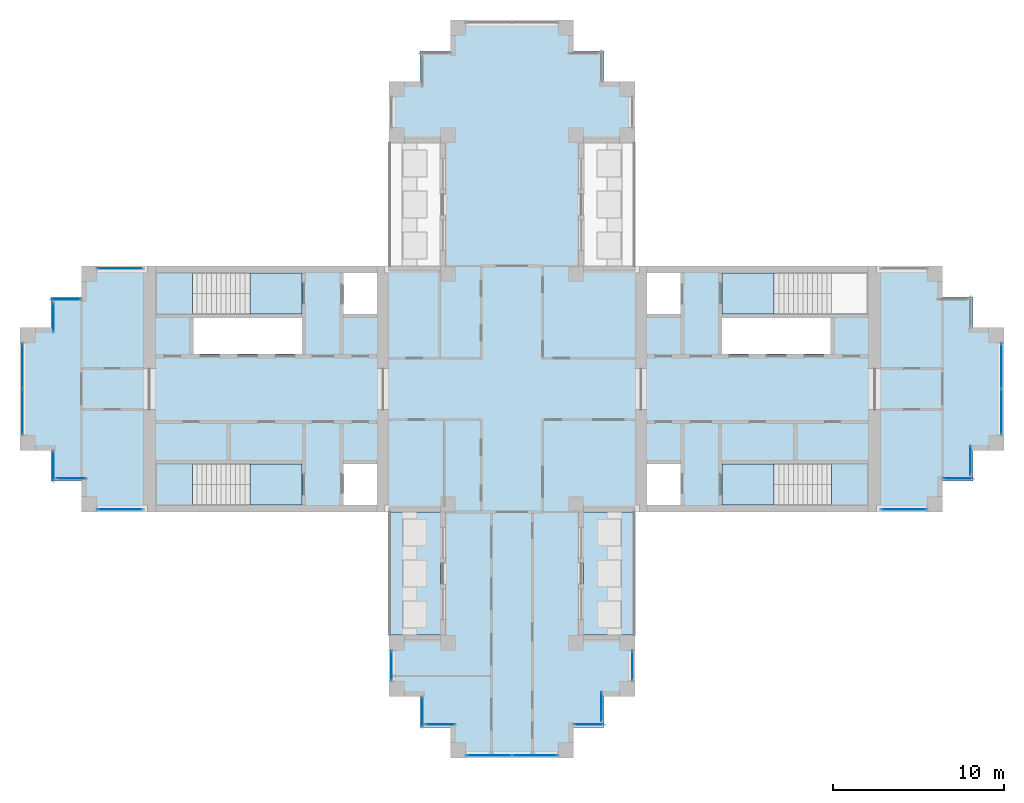
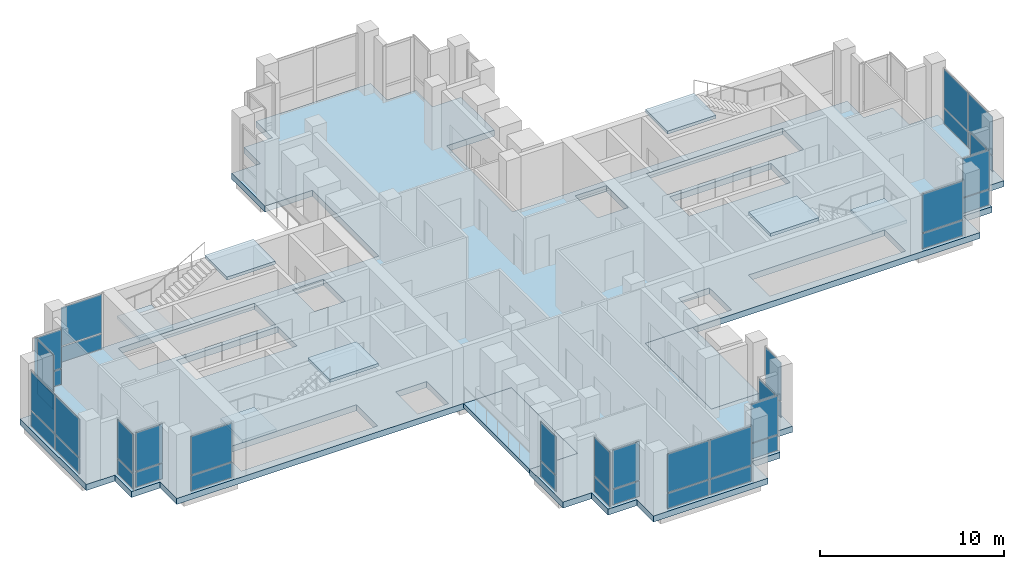
# One storey, part 6 of 13: 42 plates, 10 slabs, 22 elements without a shape of their own.
"""IFC4 building model written with IfcOpenShell, lengths in metres."""

from ifc_helpers import new_model, si_unit, direction, frame, origin, origin_2d, place, context, subcontext, project, spatial, polyline, rectangle, outline, extrude, material, layer, layer_set, type_object, element, aggregate, save


model = new_model("IFC4")

# Units and contexts
model_context = context("Model", 3, precision=1e-05, world=origin(), true_north=direction((0.0, 1.0)))
body_context = subcontext(model_context, "Body", "Model", "MODEL_VIEW")
ifc_project = project(units=[si_unit("LENGTHUNIT", "METRE"), si_unit("AREAUNIT", "SQUARE_METRE"), si_unit("VOLUMEUNIT", "CUBIC_METRE"), si_unit("PLANEANGLEUNIT", "RADIAN"), si_unit("MASSUNIT", "GRAM", prefix="KILO")], contexts=[model_context])

# Site, building, storey
site_placement = place(None, origin())
site = spatial("IfcSite", under=ifc_project, at=site_placement, CompositionType="ELEMENT")
building_placement = place(site_placement, origin())
building = spatial("IfcBuilding", under=site, at=building_placement, Name="Fustian Cross Tower", CompositionType="ELEMENT")
storey_placement = place(building_placement, frame((0.0, 0.0, 237.89990234375)))
storey = spatial("IfcBuildingStorey", under=building, at=storey_placement, Name="L75", CompositionType="ELEMENT", Elevation=237.89990234375)

# Slabs
ifc_material_1 = material(Name="Concrete C40/50", Category="concrete")
ifc_layer_1 = layer(ifc_material_1, 0.300048828125)
ifc_layer_set_1 = layer_set([ifc_layer_1], Name="Concrete C40/50")
slab_type_1 = type_object("IfcSlabType", Name="BS1 BALCONY SLAB 300", PredefinedType="FLOOR", material=ifc_layer_set_1)
slab_1_placement = place(storey_placement, frame((0.0, 0.0, -0.2998046875)))
element("IfcSlab", 1, at=slab_1_placement, inside=storey, type_object=slab_type_1, Name="Balcony slab", PredefinedType="FLOOR", context=body_context, shape_type="SweptSolid", body=[
    extrude(outline(polyline([(4.199951171875, -14.39990234375), (7.199951171875, -14.39990234375), (7.199951171875, -7.199951171875), (4.199951171875, -7.199951171875), (4.199951171875, -14.39990234375)])), origin(), (0.0, 0.0, 1.0), 0.2998046875),
])
slab_2_placement = place(storey_placement, frame((0.0, 0.0, -0.2998046875)))
element("IfcSlab", 2, at=slab_2_placement, inside=storey, type_object=slab_type_1, Name="Balcony slab", PredefinedType="FLOOR", context=body_context, shape_type="SweptSolid", body=[
    extrude(outline(polyline([(-7.199951171875, -14.39990234375), (-4.199951171875, -14.39990234375), (-4.199951171875, -7.199951171875), (-7.199951171875, -7.199951171875), (-7.199951171875, -14.39990234375)])), origin(), (0.0, 0.0, 1.0), 0.2998046875),
])

# Curtain wall, plates
ifc_material_2 = material(Name="Dark anodised aluminium and double glazing", Category="aluminium")
curtain_wall_type = type_object("IfcCurtainWallType", Name="CW2 SUMMIT LOUNGE CURTAIN WALL", PredefinedType="NOTDEFINED", material=ifc_material_2)
curtain_wall_1_placement = place(storey_placement, origin())
curtain_wall_1 = element("IfcCurtainWall", 3, at=curtain_wall_1_placement, inside=storey, type_object=curtain_wall_type, Name="Curtain wall", PredefinedType="NOTDEFINED")
ifc_material_3 = material(Name="Laminated double glazed unit")
ifc_layer_2 = layer(ifc_material_3, 0.0439453125)
ifc_layer_set_2 = layer_set([ifc_layer_2], Name="Laminated double glazed unit")
plate_type = type_object("IfcPlateType", Name="CW2 PANEL LAMINATED IGU 44", PredefinedType="CURTAIN_PANEL", material=ifc_layer_set_2)
plate_1_placement = place(storey_placement, frame((22.949951171875, -7.050048828125, 0.06005859375), z_axis=(0.0, 0.0, 1.0), x_axis=(1.0, 0.0, 0.0)))
plate_1 = element("IfcPlate", 4, at=plate_1_placement, type_object=plate_type, Name="CW2 panel 1.1", PredefinedType="CURTAIN_PANEL", context=body_context, shape_type="SweptSolid", body=[
    extrude(rectangle(XDim=2.580078125, YDim=0.028076171875, at=origin_2d()), origin(), (0.0, 0.0, 1.0), 1.010009765625),
])
plate_2_placement = place(storey_placement, frame((22.949951171875, -7.050048828125, 1.130126953125), z_axis=(0.0, 0.0, 1.0), x_axis=(1.0, 0.0, 0.0)))
plate_2 = element("IfcPlate", 5, at=plate_2_placement, type_object=plate_type, Name="CW2 panel 1.2", PredefinedType="CURTAIN_PANEL", context=body_context, shape_type="SweptSolid", body=[
    extrude(rectangle(XDim=2.580078125, YDim=0.028076171875, at=origin_2d()), origin(), (0.0, 0.0, 1.0), 2.56005859375),
])
aggregate(curtain_wall_1, [plate_1, plate_2])

curtain_wall_2_placement = place(storey_placement, origin())
curtain_wall_2 = element("IfcCurtainWall", 6, at=curtain_wall_2_placement, inside=storey, type_object=curtain_wall_type, Name="Curtain wall", PredefinedType="NOTDEFINED")
plate_3_placement = place(storey_placement, frame((26.10009765625, -5.25, 0.06005859375), z_axis=(0.0, 0.0, 1.0), x_axis=(1.0, 0.0, 0.0)))
plate_3 = element("IfcPlate", 7, at=plate_3_placement, type_object=plate_type, Name="CW2 panel 1.1", PredefinedType="CURTAIN_PANEL", context=body_context, shape_type="SweptSolid", body=[
    extrude(rectangle(XDim=1.679931640625, YDim=0.028076171875, at=origin_2d()), origin(), (0.0, 0.0, 1.0), 1.010009765625),
])
plate_4_placement = place(storey_placement, frame((26.10009765625, -5.25, 1.130126953125), z_axis=(0.0, 0.0, 1.0), x_axis=(1.0, 0.0, 0.0)))
plate_4 = element("IfcPlate", 8, at=plate_4_placement, type_object=plate_type, Name="CW2 panel 1.2", PredefinedType="CURTAIN_PANEL", context=body_context, shape_type="SweptSolid", body=[
    extrude(rectangle(XDim=1.679931640625, YDim=0.028076171875, at=origin_2d()), origin(), (0.0, 0.0, 1.0), 2.56005859375),
])
aggregate(curtain_wall_2, [plate_3, plate_4])

curtain_wall_3_placement = place(storey_placement, origin())
curtain_wall_3 = element("IfcCurtainWall", 9, at=curtain_wall_3_placement, inside=storey, type_object=curtain_wall_type, Name="Curtain wall", PredefinedType="NOTDEFINED")
plate_5_placement = place(storey_placement, frame((26.85009765625, -4.199951171875, 0.06005859375), z_axis=(0.0, 0.0, 1.0), x_axis=(0.0, 1.0, 0.0)))
plate_5 = element("IfcPlate", 10, at=plate_5_placement, type_object=plate_type, Name="CW2 panel 1.1", PredefinedType="CURTAIN_PANEL", context=body_context, shape_type="SweptSolid", body=[
    extrude(rectangle(XDim=1.679931640625, YDim=0.028076171875, at=origin_2d()), origin(), (0.0, 0.0, 1.0), 1.010009765625),
])
plate_6_placement = place(storey_placement, frame((26.85009765625, -4.199951171875, 1.130126953125), z_axis=(0.0, 0.0, 1.0), x_axis=(0.0, 1.0, 0.0)))
plate_6 = element("IfcPlate", 11, at=plate_6_placement, type_object=plate_type, Name="CW2 panel 1.2", PredefinedType="CURTAIN_PANEL", context=body_context, shape_type="SweptSolid", body=[
    extrude(rectangle(XDim=1.679931640625, YDim=0.028076171875, at=origin_2d()), origin(), (0.0, 0.0, 1.0), 2.56005859375),
])
aggregate(curtain_wall_3, [plate_5, plate_6])

curtain_wall_4_placement = place(storey_placement, origin())
curtain_wall_4 = element("IfcCurtainWall", 12, at=curtain_wall_4_placement, inside=storey, type_object=curtain_wall_type, Name="Curtain wall", PredefinedType="NOTDEFINED")
plate_7_placement = place(storey_placement, frame((28.64990234375, -1.3349609375, 0.06005859375), z_axis=(0.0, 0.0, 1.0), x_axis=(0.0, 1.0, 0.0)))
plate_7 = element("IfcPlate", 13, at=plate_7_placement, type_object=plate_type, Name="CW2 panel 1.1", PredefinedType="CURTAIN_PANEL", context=body_context, shape_type="SweptSolid", body=[
    extrude(rectangle(XDim=2.610107421875, YDim=0.028076171875, at=origin_2d()), origin(), (0.0, 0.0, 1.0), 1.010009765625),
])
plate_8_placement = place(storey_placement, frame((28.64990234375, -1.3349609375, 1.130126953125), z_axis=(0.0, 0.0, 1.0), x_axis=(0.0, 1.0, 0.0)))
plate_8 = element("IfcPlate", 14, at=plate_8_placement, type_object=plate_type, Name="CW2 panel 1.2", PredefinedType="CURTAIN_PANEL", context=body_context, shape_type="SweptSolid", body=[
    extrude(rectangle(XDim=2.610107421875, YDim=0.028076171875, at=origin_2d()), origin(), (0.0, 0.0, 1.0), 2.56005859375),
])
plate_9_placement = place(storey_placement, frame((28.64990234375, 1.3349609375, 0.06005859375), z_axis=(0.0, 0.0, 1.0), x_axis=(0.0, 1.0, 0.0)))
plate_9 = element("IfcPlate", 15, at=plate_9_placement, type_object=plate_type, Name="CW2 panel 2.1", PredefinedType="CURTAIN_PANEL", context=body_context, shape_type="SweptSolid", body=[
    extrude(rectangle(XDim=2.610107421875, YDim=0.028076171875, at=origin_2d()), origin(), (0.0, 0.0, 1.0), 1.010009765625),
])
plate_10_placement = place(storey_placement, frame((28.64990234375, 1.3349609375, 1.130126953125), z_axis=(0.0, 0.0, 1.0), x_axis=(0.0, 1.0, 0.0)))
plate_10 = element("IfcPlate", 16, at=plate_10_placement, type_object=plate_type, Name="CW2 panel 2.2", PredefinedType="CURTAIN_PANEL", context=body_context, shape_type="SweptSolid", body=[
    extrude(rectangle(XDim=2.610107421875, YDim=0.028076171875, at=origin_2d()), origin(), (0.0, 0.0, 1.0), 2.56005859375),
])
aggregate(curtain_wall_4, [plate_7, plate_8, plate_9, plate_10])

curtain_wall_5_placement = place(storey_placement, origin())
curtain_wall_5 = element("IfcCurtainWall", 17, at=curtain_wall_5_placement, inside=storey, type_object=curtain_wall_type, Name="Curtain wall", PredefinedType="NOTDEFINED")
plate_11_placement = place(storey_placement, frame((-22.949951171875, 7.050048828125, 0.06005859375), z_axis=(0.0, 0.0, 1.0), x_axis=(-1.0, 0.0, 0.0)))
plate_11 = element("IfcPlate", 18, at=plate_11_placement, type_object=plate_type, Name="CW2 panel 1.1", PredefinedType="CURTAIN_PANEL", context=body_context, shape_type="SweptSolid", body=[
    extrude(rectangle(XDim=2.580078125, YDim=0.028076171875, at=origin_2d()), origin(), (0.0, 0.0, 1.0), 1.010009765625),
])
plate_12_placement = place(storey_placement, frame((-22.949951171875, 7.050048828125, 1.130126953125), z_axis=(0.0, 0.0, 1.0), x_axis=(-1.0, 0.0, 0.0)))
plate_12 = element("IfcPlate", 19, at=plate_12_placement, type_object=plate_type, Name="CW2 panel 1.2", PredefinedType="CURTAIN_PANEL", context=body_context, shape_type="SweptSolid", body=[
    extrude(rectangle(XDim=2.580078125, YDim=0.028076171875, at=origin_2d()), origin(), (0.0, 0.0, 1.0), 2.56005859375),
])
aggregate(curtain_wall_5, [plate_11, plate_12])

curtain_wall_6_placement = place(storey_placement, origin())
curtain_wall_6 = element("IfcCurtainWall", 20, at=curtain_wall_6_placement, inside=storey, type_object=curtain_wall_type, Name="Curtain wall", PredefinedType="NOTDEFINED")
plate_13_placement = place(storey_placement, frame((-26.10009765625, 5.25, 0.06005859375), z_axis=(0.0, 0.0, 1.0), x_axis=(-1.0, 0.0, 0.0)))
plate_13 = element("IfcPlate", 21, at=plate_13_placement, type_object=plate_type, Name="CW2 panel 1.1", PredefinedType="CURTAIN_PANEL", context=body_context, shape_type="SweptSolid", body=[
    extrude(rectangle(XDim=1.679931640625, YDim=0.028076171875, at=origin_2d()), origin(), (0.0, 0.0, 1.0), 1.010009765625),
])
plate_14_placement = place(storey_placement, frame((-26.10009765625, 5.25, 1.130126953125), z_axis=(0.0, 0.0, 1.0), x_axis=(-1.0, 0.0, 0.0)))
plate_14 = element("IfcPlate", 22, at=plate_14_placement, type_object=plate_type, Name="CW2 panel 1.2", PredefinedType="CURTAIN_PANEL", context=body_context, shape_type="SweptSolid", body=[
    extrude(rectangle(XDim=1.679931640625, YDim=0.028076171875, at=origin_2d()), origin(), (0.0, 0.0, 1.0), 2.56005859375),
])
aggregate(curtain_wall_6, [plate_13, plate_14])

curtain_wall_7_placement = place(storey_placement, origin())
curtain_wall_7 = element("IfcCurtainWall", 23, at=curtain_wall_7_placement, inside=storey, type_object=curtain_wall_type, Name="Curtain wall", PredefinedType="NOTDEFINED")
plate_15_placement = place(storey_placement, frame((-26.85009765625, 4.199951171875, 0.06005859375), z_axis=(0.0, 0.0, 1.0), x_axis=(0.0, -1.0, 0.0)))
plate_15 = element("IfcPlate", 24, at=plate_15_placement, type_object=plate_type, Name="CW2 panel 1.1", PredefinedType="CURTAIN_PANEL", context=body_context, shape_type="SweptSolid", body=[
    extrude(rectangle(XDim=1.679931640625, YDim=0.028076171875, at=origin_2d()), origin(), (0.0, 0.0, 1.0), 1.010009765625),
])
plate_16_placement = place(storey_placement, frame((-26.85009765625, 4.199951171875, 1.130126953125), z_axis=(0.0, 0.0, 1.0), x_axis=(0.0, -1.0, 0.0)))
plate_16 = element("IfcPlate", 25, at=plate_16_placement, type_object=plate_type, Name="CW2 panel 1.2", PredefinedType="CURTAIN_PANEL", context=body_context, shape_type="SweptSolid", body=[
    extrude(rectangle(XDim=1.679931640625, YDim=0.028076171875, at=origin_2d()), origin(), (0.0, 0.0, 1.0), 2.56005859375),
])
aggregate(curtain_wall_7, [plate_15, plate_16])

curtain_wall_8_placement = place(storey_placement, origin())
curtain_wall_8 = element("IfcCurtainWall", 26, at=curtain_wall_8_placement, inside=storey, type_object=curtain_wall_type, Name="Curtain wall", PredefinedType="NOTDEFINED")
plate_17_placement = place(storey_placement, frame((-28.64990234375, 1.3349609375, 0.06005859375), z_axis=(0.0, 0.0, 1.0), x_axis=(0.0, -1.0, 0.0)))
plate_17 = element("IfcPlate", 27, at=plate_17_placement, type_object=plate_type, Name="CW2 panel 1.1", PredefinedType="CURTAIN_PANEL", context=body_context, shape_type="SweptSolid", body=[
    extrude(rectangle(XDim=2.610107421875, YDim=0.028076171875, at=origin_2d()), origin(), (0.0, 0.0, 1.0), 1.010009765625),
])
plate_18_placement = place(storey_placement, frame((-28.64990234375, 1.3349609375, 1.130126953125), z_axis=(0.0, 0.0, 1.0), x_axis=(0.0, -1.0, 0.0)))
plate_18 = element("IfcPlate", 28, at=plate_18_placement, type_object=plate_type, Name="CW2 panel 1.2", PredefinedType="CURTAIN_PANEL", context=body_context, shape_type="SweptSolid", body=[
    extrude(rectangle(XDim=2.610107421875, YDim=0.028076171875, at=origin_2d()), origin(), (0.0, 0.0, 1.0), 2.56005859375),
])
plate_19_placement = place(storey_placement, frame((-28.64990234375, -1.3349609375, 0.06005859375), z_axis=(0.0, 0.0, 1.0), x_axis=(0.0, -1.0, 0.0)))
plate_19 = element("IfcPlate", 29, at=plate_19_placement, type_object=plate_type, Name="CW2 panel 2.1", PredefinedType="CURTAIN_PANEL", context=body_context, shape_type="SweptSolid", body=[
    extrude(rectangle(XDim=2.610107421875, YDim=0.028076171875, at=origin_2d()), origin(), (0.0, 0.0, 1.0), 1.010009765625),
])
plate_20_placement = place(storey_placement, frame((-28.64990234375, -1.3349609375, 1.130126953125), z_axis=(0.0, 0.0, 1.0), x_axis=(0.0, -1.0, 0.0)))
plate_20 = element("IfcPlate", 30, at=plate_20_placement, type_object=plate_type, Name="CW2 panel 2.2", PredefinedType="CURTAIN_PANEL", context=body_context, shape_type="SweptSolid", body=[
    extrude(rectangle(XDim=2.610107421875, YDim=0.028076171875, at=origin_2d()), origin(), (0.0, 0.0, 1.0), 2.56005859375),
])
aggregate(curtain_wall_8, [plate_17, plate_18, plate_19, plate_20])

curtain_wall_9_placement = place(storey_placement, origin())
curtain_wall_9 = element("IfcCurtainWall", 31, at=curtain_wall_9_placement, inside=storey, type_object=curtain_wall_type, Name="Curtain wall", PredefinedType="NOTDEFINED")
plate_21_placement = place(storey_placement, frame((-26.85009765625, -4.5, 0.06005859375), z_axis=(0.0, 0.0, 1.0), x_axis=(0.0, -1.0, 0.0)))
plate_21 = element("IfcPlate", 32, at=plate_21_placement, type_object=plate_type, Name="CW2 panel 1.1", PredefinedType="CURTAIN_PANEL", context=body_context, shape_type="SweptSolid", body=[
    extrude(rectangle(XDim=1.679931640625, YDim=0.028076171875, at=origin_2d()), origin(), (0.0, 0.0, 1.0), 1.010009765625),
])
plate_22_placement = place(storey_placement, frame((-26.85009765625, -4.5, 1.130126953125), z_axis=(0.0, 0.0, 1.0), x_axis=(0.0, -1.0, 0.0)))
plate_22 = element("IfcPlate", 33, at=plate_22_placement, type_object=plate_type, Name="CW2 panel 1.2", PredefinedType="CURTAIN_PANEL", context=body_context, shape_type="SweptSolid", body=[
    extrude(rectangle(XDim=1.679931640625, YDim=0.028076171875, at=origin_2d()), origin(), (0.0, 0.0, 1.0), 2.56005859375),
])
aggregate(curtain_wall_9, [plate_21, plate_22])

curtain_wall_10_placement = place(storey_placement, origin())
curtain_wall_10 = element("IfcCurtainWall", 34, at=curtain_wall_10_placement, inside=storey, type_object=curtain_wall_type, Name="Curtain wall", PredefinedType="NOTDEFINED")
plate_23_placement = place(storey_placement, frame((-25.800048828125, -5.25, 0.06005859375), z_axis=(0.0, 0.0, 1.0), x_axis=(1.0, 0.0, 0.0)))
plate_23 = element("IfcPlate", 35, at=plate_23_placement, type_object=plate_type, Name="CW2 panel 1.1", PredefinedType="CURTAIN_PANEL", context=body_context, shape_type="SweptSolid", body=[
    extrude(rectangle(XDim=1.679931640625, YDim=0.028076171875, at=origin_2d()), origin(), (0.0, 0.0, 1.0), 1.010009765625),
])
plate_24_placement = place(storey_placement, frame((-25.800048828125, -5.25, 1.130126953125), z_axis=(0.0, 0.0, 1.0), x_axis=(1.0, 0.0, 0.0)))
plate_24 = element("IfcPlate", 36, at=plate_24_placement, type_object=plate_type, Name="CW2 panel 1.2", PredefinedType="CURTAIN_PANEL", context=body_context, shape_type="SweptSolid", body=[
    extrude(rectangle(XDim=1.679931640625, YDim=0.028076171875, at=origin_2d()), origin(), (0.0, 0.0, 1.0), 2.56005859375),
])
aggregate(curtain_wall_10, [plate_23, plate_24])

curtain_wall_11_placement = place(storey_placement, origin())
curtain_wall_11 = element("IfcCurtainWall", 37, at=curtain_wall_11_placement, inside=storey, type_object=curtain_wall_type, Name="Curtain wall", PredefinedType="NOTDEFINED")
plate_25_placement = place(storey_placement, frame((-22.949951171875, -7.050048828125, 0.06005859375), z_axis=(0.0, 0.0, 1.0), x_axis=(1.0, 0.0, 0.0)))
plate_25 = element("IfcPlate", 38, at=plate_25_placement, type_object=plate_type, Name="CW2 panel 1.1", PredefinedType="CURTAIN_PANEL", context=body_context, shape_type="SweptSolid", body=[
    extrude(rectangle(XDim=2.580078125, YDim=0.028076171875, at=origin_2d()), origin(), (0.0, 0.0, 1.0), 1.010009765625),
])
plate_26_placement = place(storey_placement, frame((-22.949951171875, -7.050048828125, 1.130126953125), z_axis=(0.0, 0.0, 1.0), x_axis=(1.0, 0.0, 0.0)))
plate_26 = element("IfcPlate", 39, at=plate_26_placement, type_object=plate_type, Name="CW2 panel 1.2", PredefinedType="CURTAIN_PANEL", context=body_context, shape_type="SweptSolid", body=[
    extrude(rectangle(XDim=2.580078125, YDim=0.028076171875, at=origin_2d()), origin(), (0.0, 0.0, 1.0), 2.56005859375),
])
aggregate(curtain_wall_11, [plate_25, plate_26])

curtain_wall_12_placement = place(storey_placement, origin())
curtain_wall_12 = element("IfcCurtainWall", 40, at=curtain_wall_12_placement, inside=storey, type_object=curtain_wall_type, Name="Curtain wall", PredefinedType="NOTDEFINED")
plate_27_placement = place(storey_placement, frame((-7.050048828125, -16.199951171875, 0.06005859375), z_axis=(0.0, 0.0, 1.0), x_axis=(0.0, -1.0, 0.0)))
plate_27 = element("IfcPlate", 41, at=plate_27_placement, type_object=plate_type, Name="CW2 panel 1.1", PredefinedType="CURTAIN_PANEL", context=body_context, shape_type="SweptSolid", body=[
    extrude(rectangle(XDim=1.679931640625, YDim=0.028076171875, at=origin_2d()), origin(), (0.0, 0.0, 1.0), 1.010009765625),
])
plate_28_placement = place(storey_placement, frame((-7.050048828125, -16.199951171875, 1.130126953125), z_axis=(0.0, 0.0, 1.0), x_axis=(0.0, -1.0, 0.0)))
plate_28 = element("IfcPlate", 42, at=plate_28_placement, type_object=plate_type, Name="CW2 panel 1.2", PredefinedType="CURTAIN_PANEL", context=body_context, shape_type="SweptSolid", body=[
    extrude(rectangle(XDim=1.679931640625, YDim=0.028076171875, at=origin_2d()), origin(), (0.0, 0.0, 1.0), 2.56005859375),
])
aggregate(curtain_wall_12, [plate_27, plate_28])

curtain_wall_13_placement = place(storey_placement, origin())
curtain_wall_13 = element("IfcCurtainWall", 43, at=curtain_wall_13_placement, inside=storey, type_object=curtain_wall_type, Name="Curtain wall", PredefinedType="NOTDEFINED")
plate_29_placement = place(storey_placement, frame((-5.25, -18.89990234375, 0.06005859375), z_axis=(0.0, 0.0, 1.0), x_axis=(0.0, -1.0, 0.0)))
plate_29 = element("IfcPlate", 44, at=plate_29_placement, type_object=plate_type, Name="CW2 panel 1.1", PredefinedType="CURTAIN_PANEL", context=body_context, shape_type="SweptSolid", body=[
    extrude(rectangle(XDim=1.679931640625, YDim=0.028076171875, at=origin_2d()), origin(), (0.0, 0.0, 1.0), 1.010009765625),
])
plate_30_placement = place(storey_placement, frame((-5.25, -18.89990234375, 1.130126953125), z_axis=(0.0, 0.0, 1.0), x_axis=(0.0, -1.0, 0.0)))
plate_30 = element("IfcPlate", 45, at=plate_30_placement, type_object=plate_type, Name="CW2 panel 1.2", PredefinedType="CURTAIN_PANEL", context=body_context, shape_type="SweptSolid", body=[
    extrude(rectangle(XDim=1.679931640625, YDim=0.028076171875, at=origin_2d()), origin(), (0.0, 0.0, 1.0), 2.56005859375),
])
aggregate(curtain_wall_13, [plate_29, plate_30])

curtain_wall_14_placement = place(storey_placement, origin())
curtain_wall_14 = element("IfcCurtainWall", 46, at=curtain_wall_14_placement, inside=storey, type_object=curtain_wall_type, Name="Curtain wall", PredefinedType="NOTDEFINED")
plate_31_placement = place(storey_placement, frame((-4.199951171875, -19.64990234375, 0.06005859375), z_axis=(0.0, 0.0, 1.0), x_axis=(1.0, 0.0, 0.0)))
plate_31 = element("IfcPlate", 47, at=plate_31_placement, type_object=plate_type, Name="CW2 panel 1.1", PredefinedType="CURTAIN_PANEL", context=body_context, shape_type="SweptSolid", body=[
    extrude(rectangle(XDim=1.679931640625, YDim=0.028076171875, at=origin_2d()), origin(), (0.0, 0.0, 1.0), 1.010009765625),
])
plate_32_placement = place(storey_placement, frame((-4.199951171875, -19.64990234375, 1.130126953125), z_axis=(0.0, 0.0, 1.0), x_axis=(1.0, 0.0, 0.0)))
plate_32 = element("IfcPlate", 48, at=plate_32_placement, type_object=plate_type, Name="CW2 panel 1.2", PredefinedType="CURTAIN_PANEL", context=body_context, shape_type="SweptSolid", body=[
    extrude(rectangle(XDim=1.679931640625, YDim=0.028076171875, at=origin_2d()), origin(), (0.0, 0.0, 1.0), 2.56005859375),
])
aggregate(curtain_wall_14, [plate_31, plate_32])

curtain_wall_15_placement = place(storey_placement, origin())
curtain_wall_15 = element("IfcCurtainWall", 49, at=curtain_wall_15_placement, inside=storey, type_object=curtain_wall_type, Name="Curtain wall", PredefinedType="NOTDEFINED")
plate_33_placement = place(storey_placement, frame((-1.3349609375, -21.449951171875, 0.06005859375), z_axis=(0.0, 0.0, 1.0), x_axis=(1.0, 0.0, 0.0)))
plate_33 = element("IfcPlate", 50, at=plate_33_placement, type_object=plate_type, Name="CW2 panel 1.1", PredefinedType="CURTAIN_PANEL", context=body_context, shape_type="SweptSolid", body=[
    extrude(rectangle(XDim=2.610107421875, YDim=0.028076171875, at=origin_2d()), origin(), (0.0, 0.0, 1.0), 1.010009765625),
])
plate_34_placement = place(storey_placement, frame((-1.3349609375, -21.449951171875, 1.130126953125), z_axis=(0.0, 0.0, 1.0), x_axis=(1.0, 0.0, 0.0)))
plate_34 = element("IfcPlate", 51, at=plate_34_placement, type_object=plate_type, Name="CW2 panel 1.2", PredefinedType="CURTAIN_PANEL", context=body_context, shape_type="SweptSolid", body=[
    extrude(rectangle(XDim=2.610107421875, YDim=0.028076171875, at=origin_2d()), origin(), (0.0, 0.0, 1.0), 2.56005859375),
])
plate_35_placement = place(storey_placement, frame((1.3349609375, -21.449951171875, 0.06005859375), z_axis=(0.0, 0.0, 1.0), x_axis=(1.0, 0.0, 0.0)))
plate_35 = element("IfcPlate", 52, at=plate_35_placement, type_object=plate_type, Name="CW2 panel 2.1", PredefinedType="CURTAIN_PANEL", context=body_context, shape_type="SweptSolid", body=[
    extrude(rectangle(XDim=2.610107421875, YDim=0.028076171875, at=origin_2d()), origin(), (0.0, 0.0, 1.0), 1.010009765625),
])
plate_36_placement = place(storey_placement, frame((1.3349609375, -21.449951171875, 1.130126953125), z_axis=(0.0, 0.0, 1.0), x_axis=(1.0, 0.0, 0.0)))
plate_36 = element("IfcPlate", 53, at=plate_36_placement, type_object=plate_type, Name="CW2 panel 2.2", PredefinedType="CURTAIN_PANEL", context=body_context, shape_type="SweptSolid", body=[
    extrude(rectangle(XDim=2.610107421875, YDim=0.028076171875, at=origin_2d()), origin(), (0.0, 0.0, 1.0), 2.56005859375),
])
aggregate(curtain_wall_15, [plate_33, plate_34, plate_35, plate_36])

curtain_wall_16_placement = place(storey_placement, origin())
curtain_wall_16 = element("IfcCurtainWall", 54, at=curtain_wall_16_placement, inside=storey, type_object=curtain_wall_type, Name="Curtain wall", PredefinedType="NOTDEFINED")
plate_37_placement = place(storey_placement, frame((4.5, -19.64990234375, 0.06005859375), z_axis=(0.0, 0.0, 1.0), x_axis=(1.0, 0.0, 0.0)))
plate_37 = element("IfcPlate", 55, at=plate_37_placement, type_object=plate_type, Name="CW2 panel 1.1", PredefinedType="CURTAIN_PANEL", context=body_context, shape_type="SweptSolid", body=[
    extrude(rectangle(XDim=1.679931640625, YDim=0.028076171875, at=origin_2d()), origin(), (0.0, 0.0, 1.0), 1.010009765625),
])
plate_38_placement = place(storey_placement, frame((4.5, -19.64990234375, 1.130126953125), z_axis=(0.0, 0.0, 1.0), x_axis=(1.0, 0.0, 0.0)))
plate_38 = element("IfcPlate", 56, at=plate_38_placement, type_object=plate_type, Name="CW2 panel 1.2", PredefinedType="CURTAIN_PANEL", context=body_context, shape_type="SweptSolid", body=[
    extrude(rectangle(XDim=1.679931640625, YDim=0.028076171875, at=origin_2d()), origin(), (0.0, 0.0, 1.0), 2.56005859375),
])
aggregate(curtain_wall_16, [plate_37, plate_38])

curtain_wall_17_placement = place(storey_placement, origin())
curtain_wall_17 = element("IfcCurtainWall", 57, at=curtain_wall_17_placement, inside=storey, type_object=curtain_wall_type, Name="Curtain wall", PredefinedType="NOTDEFINED")
plate_39_placement = place(storey_placement, frame((5.25, -18.60009765625, 0.06005859375), z_axis=(0.0, 0.0, 1.0), x_axis=(0.0, 1.0, 0.0)))
plate_39 = element("IfcPlate", 58, at=plate_39_placement, type_object=plate_type, Name="CW2 panel 1.1", PredefinedType="CURTAIN_PANEL", context=body_context, shape_type="SweptSolid", body=[
    extrude(rectangle(XDim=1.679931640625, YDim=0.028076171875, at=origin_2d()), origin(), (0.0, 0.0, 1.0), 1.010009765625),
])
plate_40_placement = place(storey_placement, frame((5.25, -18.60009765625, 1.130126953125), z_axis=(0.0, 0.0, 1.0), x_axis=(0.0, 1.0, 0.0)))
plate_40 = element("IfcPlate", 59, at=plate_40_placement, type_object=plate_type, Name="CW2 panel 1.2", PredefinedType="CURTAIN_PANEL", context=body_context, shape_type="SweptSolid", body=[
    extrude(rectangle(XDim=1.679931640625, YDim=0.028076171875, at=origin_2d()), origin(), (0.0, 0.0, 1.0), 2.56005859375),
])
aggregate(curtain_wall_17, [plate_39, plate_40])

curtain_wall_18_placement = place(storey_placement, origin())
curtain_wall_18 = element("IfcCurtainWall", 60, at=curtain_wall_18_placement, inside=storey, type_object=curtain_wall_type, Name="Curtain wall", PredefinedType="NOTDEFINED")
plate_41_placement = place(storey_placement, frame((7.050048828125, -16.199951171875, 0.06005859375), z_axis=(0.0, 0.0, 1.0), x_axis=(0.0, 1.0, 0.0)))
plate_41 = element("IfcPlate", 61, at=plate_41_placement, type_object=plate_type, Name="CW2 panel 1.1", PredefinedType="CURTAIN_PANEL", context=body_context, shape_type="SweptSolid", body=[
    extrude(rectangle(XDim=1.679931640625, YDim=0.028076171875, at=origin_2d()), origin(), (0.0, 0.0, 1.0), 1.010009765625),
])
plate_42_placement = place(storey_placement, frame((7.050048828125, -16.199951171875, 1.130126953125), z_axis=(0.0, 0.0, 1.0), x_axis=(0.0, 1.0, 0.0)))
plate_42 = element("IfcPlate", 62, at=plate_42_placement, type_object=plate_type, Name="CW2 panel 1.2", PredefinedType="CURTAIN_PANEL", context=body_context, shape_type="SweptSolid", body=[
    extrude(rectangle(XDim=1.679931640625, YDim=0.028076171875, at=origin_2d()), origin(), (0.0, 0.0, 1.0), 2.56005859375),
])
aggregate(curtain_wall_18, [plate_41, plate_42])

# Slab
ifc_material_4 = material(Name="Concrete C40/50", Category="concrete")
ifc_layer_3 = layer(ifc_material_4, 0.39990234375)
ifc_layer_set_3 = layer_set([ifc_layer_3], Name="Concrete C40/50")
slab_type_2 = type_object("IfcSlabType", Name="FLAT SLAB 400", PredefinedType="FLOOR", material=ifc_layer_set_3)
slab_3_placement = place(storey_placement, frame((0.0, 0.0, -0.39990234375)))
element("IfcSlab", 63, at=slab_3_placement, inside=storey, type_object=slab_type_2, Name="FLOOR SLAB L75-1", PredefinedType="FLOOR", context=body_context, shape_type="SweptSolid", body=[
    extrude(outline(polyline([(-3.60009765625, -19.800048828125), (-5.39990234375, -19.800048828125), (-5.39990234375, -18.0), (-7.199951171875, -18.0), (-7.199951171875, -14.39990234375), (-4.199951171875, -14.39990234375), (-4.199951171875, -7.199951171875), (-25.199951171875, -7.199951171875), (-25.199951171875, -5.39990234375), (-27.0, -5.39990234375), (-27.0, -3.60009765625), (-28.800048828125, -3.60009765625), (-28.800048828125, 3.60009765625), (-27.0, 3.60009765625), (-27.0, 5.39990234375), (-25.199951171875, 5.39990234375), (-25.199951171875, 7.199951171875), (-4.199951171875, 7.199951171875), (-4.199951171875, 14.39990234375), (-7.199951171875, 14.39990234375), (-7.199951171875, 18.0), (-5.39990234375, 18.0), (-5.39990234375, 19.800048828125), (-3.60009765625, 19.800048828125), (-3.60009765625, 21.60009765625), (3.60009765625, 21.60009765625), (3.60009765625, 19.800048828125), (5.39990234375, 19.800048828125), (5.39990234375, 18.0), (7.199951171875, 18.0), (7.199951171875, 14.39990234375), (4.199951171875, 14.39990234375), (4.199951171875, 7.199951171875), (25.199951171875, 7.199951171875), (25.199951171875, 5.39990234375), (27.0, 5.39990234375), (27.0, 3.60009765625), (28.800048828125, 3.60009765625), (28.800048828125, -3.60009765625), (27.0, -3.60009765625), (27.0, -5.39990234375), (25.199951171875, -5.39990234375), (25.199951171875, -7.199951171875), (4.199951171875, -7.199951171875), (4.199951171875, -14.39990234375), (7.199951171875, -14.39990234375), (7.199951171875, -18.0), (5.39990234375, -18.0), (5.39990234375, -19.800048828125), (3.60009765625, -19.800048828125), (3.60009765625, -21.60009765625), (-3.60009765625, -21.60009765625), (-3.60009765625, -19.800048828125)]), holes=[polyline([(7.89990234375, 6.800048828125), (7.89990234375, 4.39990234375), (9.85009765625, 4.39990234375), (9.85009765625, 6.800048828125), (7.89990234375, 6.800048828125)]), polyline([(9.85009765625, -4.39990234375), (7.89990234375, -4.39990234375), (7.89990234375, -6.800048828125), (9.85009765625, -6.800048828125), (9.85009765625, -4.39990234375)]), polyline([(-7.89990234375, 4.39990234375), (-7.89990234375, 6.800048828125), (-9.85009765625, 6.800048828125), (-9.85009765625, 4.39990234375), (-7.89990234375, 4.39990234375)]), polyline([(-9.85009765625, -6.800048828125), (-7.89990234375, -6.800048828125), (-7.89990234375, -4.39990234375), (-9.85009765625, -4.39990234375), (-9.85009765625, -6.800048828125)]), polyline([(12.300048828125, 4.14990234375), (12.300048828125, 2.050048828125), (18.64990234375, 2.050048828125), (18.64990234375, 4.14990234375), (12.300048828125, 4.14990234375)]), polyline([(-12.300048828125, 4.14990234375), (-18.64990234375, 4.14990234375), (-18.64990234375, 2.050048828125), (-12.300048828125, 2.050048828125), (-12.300048828125, 4.14990234375)]), polyline([(20.85009765625, 4.39990234375), (20.85009765625, 6.699951171875), (12.300048828125, 6.699951171875), (12.300048828125, 4.39990234375), (20.85009765625, 4.39990234375)]), polyline([(12.300048828125, -6.699951171875), (20.85009765625, -6.699951171875), (20.85009765625, -4.39990234375), (12.300048828125, -4.39990234375), (12.300048828125, -6.699951171875)]), polyline([(-20.85009765625, 6.699951171875), (-20.85009765625, 4.39990234375), (-12.300048828125, 4.39990234375), (-12.300048828125, 6.699951171875), (-20.85009765625, 6.699951171875)]), polyline([(-12.300048828125, -4.39990234375), (-20.85009765625, -4.39990234375), (-20.85009765625, -6.699951171875), (-12.300048828125, -6.699951171875), (-12.300048828125, -4.39990234375)])]), origin(), (0.0, 0.0, 1.0), 0.39990234375),
])

# Stair, slab
ifc_material_5 = material(Name="Concrete C50/60", Category="concrete")
stair_type = type_object("IfcStairType", Name="STAIR 1200 HALF TURN", PredefinedType="HALF_TURN_STAIR", material=ifc_material_5)
stair_1_placement = place(storey_placement, origin())
stair_1 = element("IfcStair", 64, at=stair_1_placement, inside=storey, type_object=stair_type, Name="Stair ST1", PredefinedType="HALF_TURN_STAIR")
ifc_material_6 = material(Name="Concrete C50/60", Category="concrete")
ifc_layer_4 = layer(ifc_material_6, 0.199951171875)
ifc_layer_set_4 = layer_set([ifc_layer_4], Name="Concrete C50/60")
slab_type_3 = type_object("IfcSlabType", Name="STAIR LANDING", PredefinedType="LANDING", material=ifc_layer_set_4)
slab_4_placement = place(storey_placement, frame((0.0, 0.0, 4.0)))
slab_4 = element("IfcSlab", 65, at=slab_4_placement, type_object=slab_type_3, Name="ST1 landing 2", PredefinedType="LANDING", context=body_context, shape_type="SweptSolid", body=[
    extrude(outline(polyline([(12.300048828125, 4.39990234375), (15.35009765625, 4.39990234375), (15.35009765625, 6.800048828125), (12.300048828125, 6.800048828125), (12.300048828125, 4.39990234375)])), origin(), (0.0, 0.0, 1.0), 0.2001953125),
])
aggregate(stair_1, [slab_4])

# Stair, slabs
stair_2_placement = place(storey_placement, origin())
stair_2 = element("IfcStair", 66, at=stair_2_placement, inside=storey, type_object=stair_type, Name="Stair ST2", PredefinedType="HALF_TURN_STAIR")
slab_5_placement = place(storey_placement, frame((0.0, 0.0, 1.900146484375)))
slab_5 = element("IfcSlab", 67, at=slab_5_placement, type_object=slab_type_3, Name="ST2 landing 1", PredefinedType="LANDING", context=body_context, shape_type="SweptSolid", body=[
    extrude(outline(polyline([(18.7099609375, -4.39990234375), (20.85009765625, -4.39990234375), (20.85009765625, -6.800048828125), (18.7099609375, -6.800048828125), (18.7099609375, -4.39990234375)])), origin(), (0.0, 0.0, 1.0), 0.199951171875),
])
slab_6_placement = place(storey_placement, frame((0.0, 0.0, 4.0)))
slab_6 = element("IfcSlab", 68, at=slab_6_placement, type_object=slab_type_3, Name="ST2 landing 2", PredefinedType="LANDING", context=body_context, shape_type="SweptSolid", body=[
    extrude(outline(polyline([(12.300048828125, -4.39990234375), (15.35009765625, -4.39990234375), (15.35009765625, -6.800048828125), (12.300048828125, -6.800048828125), (12.300048828125, -4.39990234375)])), origin(), (0.0, 0.0, 1.0), 0.2001953125),
])
aggregate(stair_2, [slab_5, slab_6])

stair_3_placement = place(storey_placement, origin())
stair_3 = element("IfcStair", 69, at=stair_3_placement, inside=storey, type_object=stair_type, Name="Stair ST3", PredefinedType="HALF_TURN_STAIR")
slab_7_placement = place(storey_placement, frame((0.0, 0.0, 1.900146484375)))
slab_7 = element("IfcSlab", 70, at=slab_7_placement, type_object=slab_type_3, Name="ST3 landing 1", PredefinedType="LANDING", context=body_context, shape_type="SweptSolid", body=[
    extrude(outline(polyline([(-18.7099609375, 4.39990234375), (-20.85009765625, 4.39990234375), (-20.85009765625, 6.800048828125), (-18.7099609375, 6.800048828125), (-18.7099609375, 4.39990234375)])), origin(), (0.0, 0.0, 1.0), 0.199951171875),
])
slab_8_placement = place(storey_placement, frame((0.0, 0.0, 4.0)))
slab_8 = element("IfcSlab", 71, at=slab_8_placement, type_object=slab_type_3, Name="ST3 landing 2", PredefinedType="LANDING", context=body_context, shape_type="SweptSolid", body=[
    extrude(outline(polyline([(-12.300048828125, 4.39990234375), (-15.35009765625, 4.39990234375), (-15.35009765625, 6.800048828125), (-12.300048828125, 6.800048828125), (-12.300048828125, 4.39990234375)])), origin(), (0.0, 0.0, 1.0), 0.2001953125),
])
aggregate(stair_3, [slab_7, slab_8])

stair_4_placement = place(storey_placement, origin())
stair_4 = element("IfcStair", 72, at=stair_4_placement, inside=storey, type_object=stair_type, Name="Stair ST4", PredefinedType="HALF_TURN_STAIR")
slab_9_placement = place(storey_placement, frame((0.0, 0.0, 1.900146484375)))
slab_9 = element("IfcSlab", 73, at=slab_9_placement, type_object=slab_type_3, Name="ST4 landing 1", PredefinedType="LANDING", context=body_context, shape_type="SweptSolid", body=[
    extrude(outline(polyline([(-18.7099609375, -4.39990234375), (-20.85009765625, -4.39990234375), (-20.85009765625, -6.800048828125), (-18.7099609375, -6.800048828125), (-18.7099609375, -4.39990234375)])), origin(), (0.0, 0.0, 1.0), 0.199951171875),
])
slab_10_placement = place(storey_placement, frame((0.0, 0.0, 4.0)))
slab_10 = element("IfcSlab", 74, at=slab_10_placement, type_object=slab_type_3, Name="ST4 landing 2", PredefinedType="LANDING", context=body_context, shape_type="SweptSolid", body=[
    extrude(outline(polyline([(-12.300048828125, -4.39990234375), (-15.35009765625, -4.39990234375), (-15.35009765625, -6.800048828125), (-12.300048828125, -6.800048828125), (-12.300048828125, -4.39990234375)])), origin(), (0.0, 0.0, 1.0), 0.2001953125),
])
aggregate(stair_4, [slab_9, slab_10])

save(model, "model.ifc")
